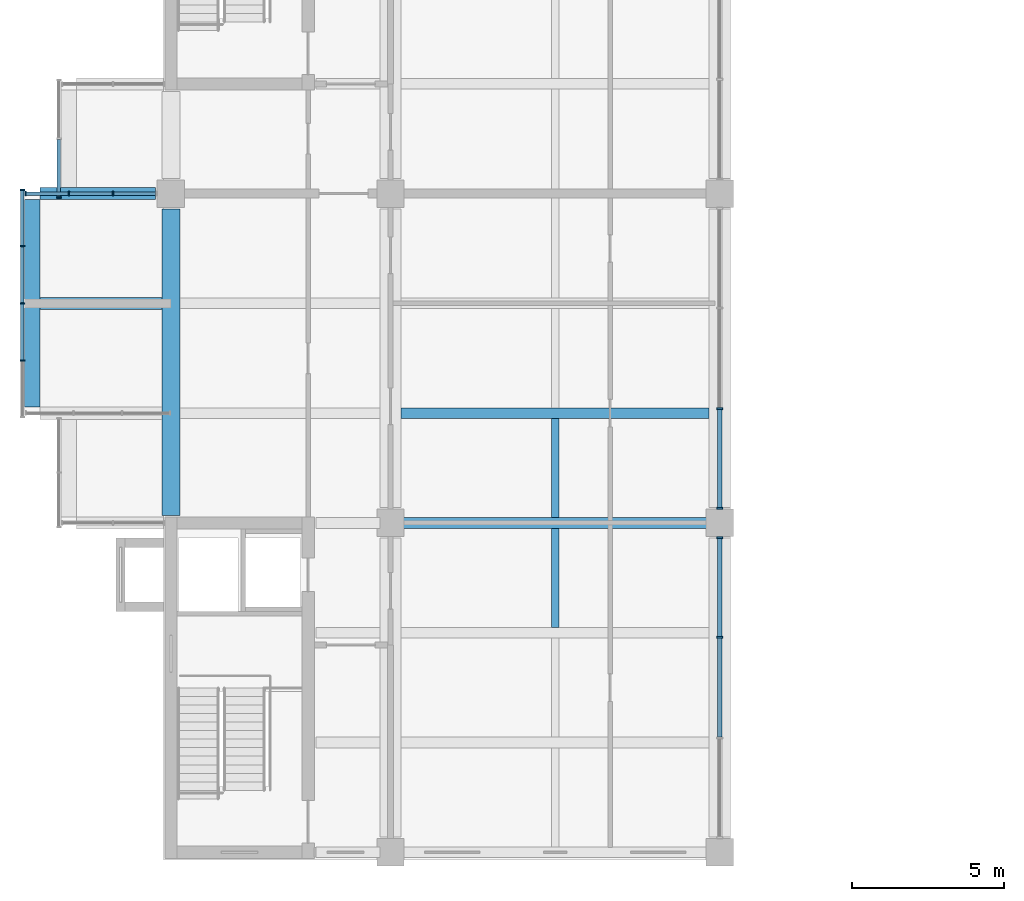
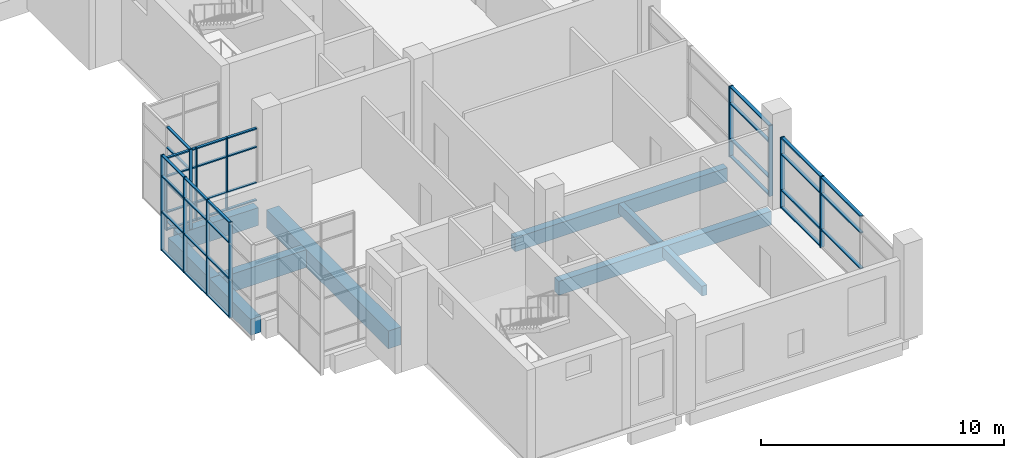
# One storey, part 7 of 32: 51 members, 9 beams, 5 elements without a shape of their own.
"""IFC4 building model written with IfcOpenShell, lengths in metres."""

import ifcopenshell
import ifcopenshell.guid

model = None  # the IFC model being written
_history = None  # IfcOwnerHistory: only IFC2X3 demands one
_inside = {}  # id of a spatial element -> (the spatial element, [elements in it])
_under = {}  # id of a project, library or spatial element -> (it, [spatial elements below it])
_declared = {}  # id of a project -> (the project, [libraries it declares])
_typed = {}  # id of a type object -> (the type object, [elements of that type])
_made_of = {}  # id of a material, layer set ... -> (it, [elements and type objects made of it])


def new_model(schema):
    """Start an empty IFC model of exactly this schema.

    Asked for "IFC4X3", IfcOpenShell would pick the latest addendum, in which some entities
    have other attributes; the version numbers below select the first issue.
    IFC2X3 requires an IfcOwnerHistory on every rooted entity: one is made here for all.
    """
    global model, _history
    if schema == "IFC4X3":
        model = ifcopenshell.file(schema_version=(4, 3, 0, 0))
    else:
        model = ifcopenshell.file(schema=schema)
    _inside.clear()
    _under.clear()
    _declared.clear()
    _typed.clear()
    _made_of.clear()
    _history = None
    if model.schema == "IFC2X3":
        org = make("IfcOrganization", Name="unknown")
        user = make(
            "IfcPersonAndOrganization",
            ThePerson=make("IfcPerson", FamilyName="unknown"),
            TheOrganization=org,
        )
        app = make(
            "IfcApplication",
            ApplicationDeveloper=org,
            Version="unknown",
            ApplicationFullName="unknown",
            ApplicationIdentifier="unknown",
        )
        _history = make(
            "IfcOwnerHistory",
            OwningUser=user,
            OwningApplication=app,
            ChangeAction="ADDED",
            CreationDate=0,
        )
    return model


def make(cls, **values):
    """One entity of the class cls with the attributes given. An attribute that is None is left unset."""
    return model.create_entity(
        cls, **{name: value for name, value in values.items() if value is not None}
    )


def rooted(cls, **values):
    """An entity with a GlobalId (a new one), such as an element, a storey or a relation."""
    return make(cls, GlobalId=ifcopenshell.guid.new(), OwnerHistory=_history, **values)


def si_unit(unit_type, name, prefix=None):
    """IfcSIUnit, for example si_unit("LENGTHUNIT", "METRE", prefix="MILLI")."""
    return make("IfcSIUnit", UnitType=unit_type, Prefix=prefix, Name=name)


def assignment(units):
    """IfcUnitAssignment: the units of a project."""
    return None if units is None else make("IfcUnitAssignment", Units=units)


def point(xyz):
    """IfcCartesianPoint."""
    return None if xyz is None else make("IfcCartesianPoint", Coordinates=xyz)


def direction(xyz):
    """IfcDirection."""
    return None if xyz is None else make("IfcDirection", DirectionRatios=xyz)


def frame(location, z_axis=None, x_axis=None):
    """IfcAxis2Placement3D, a coordinate frame: its origin and axes. An axis left out is left unset."""
    return make(
        "IfcAxis2Placement3D",
        Location=point(location),
        Axis=direction(z_axis),
        RefDirection=direction(x_axis),
    )


def frame_2d(location, x_axis=None):
    """IfcAxis2Placement2D, a coordinate frame in the plane: its origin and x axis."""
    return make(
        "IfcAxis2Placement2D", Location=point(location), RefDirection=direction(x_axis)
    )


def origin():
    """The frame at (0, 0, 0) with its axes left unset."""
    return frame((0.0, 0.0, 0.0))


def origin_2d():
    """The frame at (0, 0) in the plane with its x axis left unset."""
    return frame_2d((0.0, 0.0))


def place(relative_to, where):
    """IfcLocalPlacement: puts the frame where relative to a parent placement (None: the world)."""
    return make(
        "IfcLocalPlacement", PlacementRelTo=relative_to, RelativePlacement=where
    )


def context(
    kind, dimensions, precision=None, world=None, true_north=None, identifier=None
):
    """IfcGeometricRepresentationContext, for example the 3D "Model" context."""
    return make(
        "IfcGeometricRepresentationContext",
        ContextIdentifier=identifier,
        ContextType=kind,
        CoordinateSpaceDimension=dimensions,
        Precision=precision,
        WorldCoordinateSystem=world,
        TrueNorth=true_north,
    )


def subcontext(parent, identifier, kind, view, scale=None):
    """IfcGeometricRepresentationSubContext, for example "Body" below "Model"."""
    return make(
        "IfcGeometricRepresentationSubContext",
        ContextIdentifier=identifier,
        ContextType=kind,
        ParentContext=parent,
        TargetScale=scale,
        TargetView=view,
    )


def project(units=None, contexts=None):
    """IfcProject with its units and contexts."""
    return rooted(
        "IfcProject",
        Name="project",
        RepresentationContexts=contexts,
        UnitsInContext=assignment(units),
    )


def spatial(cls, under=None, at=None, **own):
    """A site, building, storey or space (cls), placed at a placement, below another one or the project."""
    s = rooted(cls, ObjectPlacement=at, **own)
    if under is not None:
        _under.setdefault(under.id(), (under, []))[1].append(s)
    return s


def profile(cls, at=None, kind="AREA", **sizes):
    """A parametric profile (cls). Its sizes go by their IFC names, for example OverallWidth=200.0."""
    return make(cls, ProfileType=kind, Position=at, **sizes)


def rectangle(**sizes):
    """IfcRectangleProfileDef."""
    return profile("IfcRectangleProfileDef", **sizes)


def extrude(swept, where, along, depth):
    """IfcExtrudedAreaSolid: the profile swept, set in the frame where, extruded along a direction by depth."""
    return make(
        "IfcExtrudedAreaSolid",
        SweptArea=swept,
        Position=where,
        ExtrudedDirection=direction(along),
        Depth=depth,
    )


def shape(context_of_items, identifier, shape_type, items):
    """IfcShapeRepresentation: the items that make up one representation, for example the "Body"."""
    return make(
        "IfcShapeRepresentation",
        ContextOfItems=context_of_items,
        RepresentationIdentifier=identifier,
        RepresentationType=shape_type,
        Items=items,
    )


def material(Name=None, Category=None):
    """IfcMaterial."""
    return make("IfcMaterial", Name=Name, Category=Category)


def layer(
    of_material, thickness, ventilated=None, Name=None, Category=None, Priority=None
):
    """IfcMaterialLayer: one layer of a wall or slab, of a material (None: an air gap)."""
    return make(
        "IfcMaterialLayer",
        Material=of_material,
        LayerThickness=thickness,
        IsVentilated=ventilated,
        Name=Name,
        Category=Category,
        Priority=Priority,
    )


def layer_set(layers, Name=None):
    """IfcMaterialLayerSet."""
    return make("IfcMaterialLayerSet", MaterialLayers=layers, LayerSetName=Name)


def material_profile(
    of_material, cross_section, Name=None, Category=None, Priority=None
):
    """IfcMaterialProfile: a cross section and its material."""
    return make(
        "IfcMaterialProfile",
        Name=Name,
        Material=of_material,
        Profile=cross_section,
        Priority=Priority,
        Category=Category,
    )


def profile_set(profiles, Name=None, composite=None):
    """IfcMaterialProfileSet."""
    return make(
        "IfcMaterialProfileSet",
        Name=Name,
        MaterialProfiles=profiles,
        CompositeProfile=composite,
    )


def made_of(thing, what):
    """Note that an element or type object is made of a material, layer set ...; save() writes the relation."""
    if what is not None:
        _made_of.setdefault(what.id(), (what, []))[1].append(thing)
    return thing


def type_object(cls, material=None, **own):
    """A type object (cls), such as IfcWallType, which elements share."""
    return made_of(rooted(cls, **own), material)


def element(
    cls,
    number,
    at=None,
    inside=None,
    cuts=None,
    type_object=None,
    material=None,
    context=None,
    identifier="Body",
    shape_type=None,
    held_by="IfcProductDefinitionShape",
    body=None,
    shapes=None,
    **own,
):
    """One element of the class cls, such as IfcWall. Its Tag is "e" and its number.

    at: its placement. inside: the storey or other place that contains it. cuts: it is an
    opening in that element (IfcRelVoidsElement). A single representation is given by context,
    identifier, shape_type and body (its items); several are given by shapes. held_by: the class
    of the entity that holds the representations. save() writes the other relations.
    """
    e = rooted(cls, Tag="e%d" % number, ObjectPlacement=at, **own)
    if body is not None:
        shapes = [shape(context, identifier, shape_type, body)]
    if shapes is not None:
        e.Representation = make(held_by, Representations=shapes)
    if inside is not None:
        _inside.setdefault(inside.id(), (inside, []))[1].append(e)
    if cuts is not None:
        rooted(
            "IfcRelVoidsElement", RelatingBuildingElement=cuts, RelatedOpeningElement=e
        )
    if type_object is not None:
        _typed.setdefault(type_object.id(), (type_object, []))[1].append(e)
    return made_of(e, material)


def aggregate(whole, parts):
    """IfcRelAggregates: a whole, such as a stair, and the parts it consists of."""
    return rooted("IfcRelAggregates", RelatingObject=whole, RelatedObjects=parts)


def save(model, path):
    """Write the relations noted so far, then the file.

    IfcRelAggregates (storeys below a building ...), IfcRelContainedInSpatialStructure (elements
    in a storey), IfcRelDefinesByType, IfcRelAssociatesMaterial and IfcRelDeclares: one each for
    every whole, place, type object, material and project.
    """
    for whole, parts in _under.values():
        aggregate(whole, parts)
    for where, things in _inside.values():
        rooted(
            "IfcRelContainedInSpatialStructure",
            RelatedElements=things,
            RelatingStructure=where,
        )
    for kind, things in _typed.values():
        rooted("IfcRelDefinesByType", RelatedObjects=things, RelatingType=kind)
    for what, things in _made_of.values():
        rooted("IfcRelAssociatesMaterial", RelatedObjects=things, RelatingMaterial=what)
    for by, libraries in _declared.values():
        rooted("IfcRelDeclares", RelatingContext=by, RelatedDefinitions=libraries)
    model.write(path)


model = new_model("IFC4")

# Units and contexts
model_context = context("Model", 3, precision=1e-05, world=origin(), true_north=direction((0.0, 1.0)))
body_context = subcontext(model_context, "Body", "Model", "MODEL_VIEW")
ifc_project = project(units=[si_unit("LENGTHUNIT", "METRE"), si_unit("AREAUNIT", "SQUARE_METRE"), si_unit("VOLUMEUNIT", "CUBIC_METRE"), si_unit("PLANEANGLEUNIT", "RADIAN"), si_unit("MASSUNIT", "GRAM", prefix="KILO")], contexts=[model_context])

# Site, building, storey
site_placement = place(None, origin())
site = spatial("IfcSite", under=ifc_project, at=site_placement, CompositionType="ELEMENT")
building_placement = place(site_placement, origin())
building = spatial("IfcBuilding", under=site, at=building_placement, Name="Basin Gate Institute", CompositionType="ELEMENT")
storey_placement = place(building_placement, frame((0.0, 0.0, 41.39990234375)))
storey = spatial("IfcBuildingStorey", under=building, at=storey_placement, Name="L08", CompositionType="ELEMENT", Elevation=41.39990234375)

# Beams
ifc_material_1 = material(Name="Concrete 40 MPa", Category="concrete")
ifc_material_profile_1 = material_profile(ifc_material_1, rectangle(XDim=0.35009765625, YDim=0.699951171875, at=origin_2d()), Name="Beam B1 350 x 700")
ifc_profile_set_1 = profile_set([ifc_material_profile_1], Name="Concrete 40 MPa")
beam_type_1 = type_object("IfcBeamType", Name="Beam B1 R120", PredefinedType="BEAM", material=ifc_profile_set_1)
for number, where, z_axis, x_axis, name in (
    (1, (68.75, 45.89990234375, -0.599853515625), (1.0, 0.0, 0.0), (0.0, 1.0, 0.0), "BEAM/L08/W/EW/04"),
    (2, (68.75, 49.5, -0.599853515625), (1.0, 0.0, 0.0), (0.0, 1.0, 0.0), "BEAM/L08/W/EW/05"),
):
    element("IfcBeam", number, at=place(storey_placement, frame(where, z_axis=z_axis, x_axis=x_axis)), inside=storey, type_object=beam_type_1, material=ifc_profile_set_1, Name=name, PredefinedType="BEAM", context=body_context, shape_type="SweptSolid", body=[
        extrude(rectangle(XDim=0.35009765625, YDim=0.699951171875, at=origin_2d()), origin(), (0.0, 0.0, 1.0), 10.10009765625),
    ])
ifc_material_2 = material(Name="Concrete 50 MPa", Category="concrete")
ifc_material_profile_2 = material_profile(ifc_material_2, rectangle(XDim=0.39990234375, YDim=0.89990234375, at=origin_2d()), Name="Cantilever beam B3 400 x 900")
ifc_profile_set_2 = profile_set([ifc_material_profile_2], Name="Concrete 50 MPa")
beam_type_2 = type_object("IfcBeamType", Name="Cantilever beam B3 R120", PredefinedType="BEAM", material=ifc_profile_set_2)
beam_1_placement = place(storey_placement, frame((56.89990234375, 53.10009765625, -0.699951171875), z_axis=(1.0, 0.0, 0.0), x_axis=(0.0, 1.0, 0.0)))
element("IfcBeam", 3, at=beam_1_placement, inside=storey, type_object=beam_type_2, material=ifc_profile_set_2, Name="BEAM/L08/W/CANT/06", PredefinedType="BEAM", context=body_context, shape_type="SweptSolid", body=[
    extrude(rectangle(XDim=0.39990234375, YDim=0.89990234375, at=origin_2d()), origin(), (0.0, 0.0, 1.0), 4.0),
])
beam_2_placement = place(storey_placement, frame((56.89990234375, 56.699951171875, -0.699951171875), z_axis=(1.0, 0.0, 0.0), x_axis=(0.0, 1.0, 0.0)))
element("IfcBeam", 4, at=beam_2_placement, inside=storey, type_object=beam_type_2, material=ifc_profile_set_2, Name="BEAM/L08/W/CANT/07", PredefinedType="BEAM", context=body_context, shape_type="SweptSolid", body=[
    extrude(rectangle(XDim=0.39990234375, YDim=0.89990234375, at=origin_2d()), origin(), (0.0, 0.0, 1.0), 3.800048828125),
])
ifc_material_3 = material(Name="Concrete 50 MPa", Category="concrete")
ifc_material_profile_3 = material_profile(ifc_material_3, rectangle(XDim=0.60009765625, YDim=0.89990234375, at=origin_2d()), Name="Edge beam EB1 600 x 900")
ifc_profile_set_3 = profile_set([ifc_material_profile_3], Name="Concrete 50 MPa")
beam_type_3 = type_object("IfcBeamType", Name="Edge beam EB1 R120", PredefinedType="SPANDREL", material=ifc_profile_set_3)
beam_3_placement = place(storey_placement, frame((61.199951171875, 46.14990234375, -0.699951171875), z_axis=(0.0, 1.0, 0.0), x_axis=(-1.0, 0.0, 0.0)))
element("IfcBeam", 5, at=beam_3_placement, inside=storey, type_object=beam_type_3, material=ifc_profile_set_3, Name="BEAM/L08/W/EDGE/1", PredefinedType="SPANDREL", context=body_context, shape_type="SweptSolid", body=[
    extrude(rectangle(XDim=0.60009765625, YDim=0.89990234375, at=origin_2d()), origin(), (0.0, 0.0, 1.0), 10.050048828125),
])

# Curtain wall, members
ifc_material_4 = material(Name="Aluminium-framed glazing", Category="aluminium")
ifc_layer_1 = layer(ifc_material_4, 0.14990234375)
ifc_layer_set_1 = layer_set([ifc_layer_1], Name="Capsule front curtain wall CW1")
curtain_wall_type_1 = type_object("IfcCurtainWallType", Name="Capsule front curtain wall CW1", PredefinedType="NOTDEFINED", material=ifc_layer_set_1)
curtain_wall_1_placement = place(storey_placement, origin())
curtain_wall_1 = element("IfcCurtainWall", 6, at=curtain_wall_1_placement, inside=storey, type_object=curtain_wall_type_1, material=ifc_layer_set_1, Name="Capsule front curtain wall W wing capsule end L08 line 7", PredefinedType="NOTDEFINED")
ifc_material_5 = material(Name="Aluminium", Category="aluminium")
ifc_material_profile_4 = material_profile(ifc_material_5, rectangle(XDim=0.14990234375, YDim=0.050048828125, at=origin_2d()), Name="Mullion MU1 150 x 50")
ifc_profile_set_4 = profile_set([ifc_material_profile_4], Name="Aluminium")
member_type_1 = type_object("IfcMemberType", Name="Mullion MU1", PredefinedType="MULLION", material=ifc_profile_set_4)
member_1_placement = place(storey_placement, frame((56.425048828125, 56.699951171875, 0.0), z_axis=(0.0, 0.0, 1.0), x_axis=(0.0, 1.0, 0.0)))
member_1 = element("IfcMember", 7, at=member_1_placement, type_object=member_type_1, material=ifc_profile_set_4, Name="CW1 mullion 1", PredefinedType="MULLION", context=body_context, shape_type="SweptSolid", body=[
    extrude(rectangle(XDim=0.14990234375, YDim=0.050048828125, at=origin_2d()), origin(), (0.0, 0.0, 1.0), 3.650146484375),
])
member_2_placement = place(storey_placement, frame((57.85009765625, 56.699951171875, 0.0), z_axis=(0.0, 0.0, 1.0), x_axis=(0.0, 1.0, 0.0)))
member_2 = element("IfcMember", 8, at=member_2_placement, type_object=member_type_1, material=ifc_profile_set_4, Name="CW1 mullion 2", PredefinedType="MULLION", context=body_context, shape_type="SweptSolid", body=[
    extrude(rectangle(XDim=0.14990234375, YDim=0.050048828125, at=origin_2d()), origin(), (0.0, 0.0, 1.0), 3.650146484375),
])
member_3_placement = place(storey_placement, frame((59.300048828125, 56.699951171875, 0.0), z_axis=(0.0, 0.0, 1.0), x_axis=(0.0, 1.0, 0.0)))
member_3 = element("IfcMember", 9, at=member_3_placement, type_object=member_type_1, material=ifc_profile_set_4, Name="CW1 mullion 3", PredefinedType="MULLION", context=body_context, shape_type="SweptSolid", body=[
    extrude(rectangle(XDim=0.14990234375, YDim=0.050048828125, at=origin_2d()), origin(), (0.0, 0.0, 1.0), 3.650146484375),
])

curtain_wall_2_placement = place(storey_placement, origin())
curtain_wall_2 = element("IfcCurtainWall", 10, at=curtain_wall_2_placement, inside=storey, type_object=curtain_wall_type_1, material=ifc_layer_set_1, Name="Capsule front curtain wall W wing capsule 1 L08 front 2", PredefinedType="NOTDEFINED")
member_4_placement = place(storey_placement, frame((56.324951171875, 51.22509765625, -1.0498046875), z_axis=(0.0, 0.0, 1.0), x_axis=(-1.0, 0.0, 0.0)))
member_4 = element("IfcMember", 11, at=member_4_placement, type_object=member_type_1, material=ifc_profile_set_4, Name="CW1 mullion 2", PredefinedType="MULLION", context=body_context, shape_type="SweptSolid", body=[
    extrude(rectangle(XDim=0.14990234375, YDim=0.050048828125, at=origin_2d()), origin(), (0.0, 0.0, 1.0), 4.7998046875),
])
member_5_placement = place(storey_placement, frame((56.324951171875, 53.10009765625, -1.0498046875), z_axis=(0.0, 0.0, 1.0), x_axis=(-1.0, 0.0, 0.0)))
member_5 = element("IfcMember", 12, at=member_5_placement, type_object=member_type_1, material=ifc_profile_set_4, Name="CW1 mullion 3", PredefinedType="MULLION", context=body_context, shape_type="SweptSolid", body=[
    extrude(rectangle(XDim=0.14990234375, YDim=0.050048828125, at=origin_2d()), origin(), (0.0, 0.0, 1.0), 4.7998046875),
])
member_6_placement = place(storey_placement, frame((56.324951171875, 54.97509765625, -1.0498046875), z_axis=(0.0, 0.0, 1.0), x_axis=(-1.0, 0.0, 0.0)))
member_6 = element("IfcMember", 13, at=member_6_placement, type_object=member_type_1, material=ifc_profile_set_4, Name="CW1 mullion 4", PredefinedType="MULLION", context=body_context, shape_type="SweptSolid", body=[
    extrude(rectangle(XDim=0.14990234375, YDim=0.050048828125, at=origin_2d()), origin(), (0.0, 0.0, 1.0), 4.7998046875),
])
member_7_placement = place(storey_placement, frame((56.324951171875, 56.824951171875, -1.0498046875), z_axis=(0.0, 0.0, 1.0), x_axis=(-1.0, 0.0, 0.0)))
member_7 = element("IfcMember", 14, at=member_7_placement, type_object=member_type_1, material=ifc_profile_set_4, Name="CW1 mullion 5", PredefinedType="MULLION", context=body_context, shape_type="SweptSolid", body=[
    extrude(rectangle(XDim=0.14990234375, YDim=0.050048828125, at=origin_2d()), origin(), (0.0, 0.0, 1.0), 4.7998046875),
])

# Curtain wall, member
curtain_wall_3_placement = place(storey_placement, origin())
curtain_wall_3 = element("IfcCurtainWall", 15, at=curtain_wall_3_placement, inside=storey, type_object=curtain_wall_type_1, material=ifc_layer_set_1, Name="Capsule front curtain wall W wing capsule 1 L08 front 4", PredefinedType="NOTDEFINED")
member_8_placement = place(storey_placement, frame((57.52490234375, 56.574951171875, -1.0498046875), z_axis=(0.0, 0.0, 1.0), x_axis=(-1.0, 0.0, 0.0)))
member_8 = element("IfcMember", 16, at=member_8_placement, type_object=member_type_1, material=ifc_profile_set_4, Name="CW1 mullion 1", PredefinedType="MULLION", context=body_context, shape_type="SweptSolid", body=[
    extrude(rectangle(XDim=0.14990234375, YDim=0.050048828125, at=origin_2d()), origin(), (0.0, 0.0, 1.0), 4.7998046875),
])

# Curtain wall, members
ifc_material_6 = material(Name="Aluminium-framed glazing", Category="aluminium")
ifc_layer_2 = layer(ifc_material_6, 0.199951171875)
ifc_layer_set_2 = layer_set([ifc_layer_2], Name="Atrium curtain wall CW2")
curtain_wall_type_2 = type_object("IfcCurtainWallType", Name="Atrium curtain wall CW2", PredefinedType="NOTDEFINED", material=ifc_layer_set_2)
curtain_wall_4_placement = place(storey_placement, origin())
curtain_wall_4 = element("IfcCurtainWall", 17, at=curtain_wall_4_placement, inside=storey, type_object=curtain_wall_type_2, material=ifc_layer_set_2, Name="Atrium curtain wall W wing atrium bay 1 L08", PredefinedType="NOTDEFINED")
ifc_material_7 = material(Name="Aluminium", Category="aluminium")
ifc_material_profile_5 = material_profile(ifc_material_7, rectangle(XDim=0.199951171875, YDim=0.06005859375, at=origin_2d()), Name="Mullion MU2 200 x 60")
ifc_profile_set_5 = profile_set([ifc_material_profile_5], Name="Aluminium")
member_type_2 = type_object("IfcMemberType", Name="Mullion MU2", PredefinedType="MULLION", material=ifc_profile_set_5)
member_9_placement = place(storey_placement, frame((79.199951171875, 42.14990234375, 0.0), z_axis=(0.0, 0.0, 1.0), x_axis=(-1.0, 0.0, 0.0)))
member_9 = element("IfcMember", 18, at=member_9_placement, type_object=member_type_2, material=ifc_profile_set_5, Name="CW2 mullion 3", PredefinedType="MULLION", context=body_context, shape_type="SweptSolid", body=[
    extrude(rectangle(XDim=0.199951171875, YDim=0.06005859375, at=origin_2d()), origin(), (0.0, 0.0, 1.0), 3.550048828125),
])
member_10_placement = place(storey_placement, frame((79.199951171875, 45.419921875, 0.0), z_axis=(0.0, 0.0, 1.0), x_axis=(-1.0, 0.0, 0.0)))
member_10 = element("IfcMember", 19, at=member_10_placement, type_object=member_type_2, material=ifc_profile_set_5, Name="CW2 mullion 4", PredefinedType="MULLION", context=body_context, shape_type="SweptSolid", body=[
    extrude(rectangle(XDim=0.199951171875, YDim=0.06005859375, at=origin_2d()), origin(), (0.0, 0.0, 1.0), 3.550048828125),
])

curtain_wall_5_placement = place(storey_placement, origin())
curtain_wall_5 = element("IfcCurtainWall", 20, at=curtain_wall_5_placement, inside=storey, type_object=curtain_wall_type_2, material=ifc_layer_set_2, Name="Atrium curtain wall W wing atrium bay 2 L08", PredefinedType="NOTDEFINED")
member_11_placement = place(storey_placement, frame((79.199951171875, 46.3798828125, 0.0), z_axis=(0.0, 0.0, 1.0), x_axis=(-1.0, 0.0, 0.0)))
member_11 = element("IfcMember", 21, at=member_11_placement, type_object=member_type_2, material=ifc_profile_set_5, Name="CW2 mullion 1", PredefinedType="MULLION", context=body_context, shape_type="SweptSolid", body=[
    extrude(rectangle(XDim=0.199951171875, YDim=0.06005859375, at=origin_2d()), origin(), (0.0, 0.0, 1.0), 3.550048828125),
])
member_12_placement = place(storey_placement, frame((79.199951171875, 49.64990234375, 0.0), z_axis=(0.0, 0.0, 1.0), x_axis=(-1.0, 0.0, 0.0)))
member_12 = element("IfcMember", 22, at=member_12_placement, type_object=member_type_2, material=ifc_profile_set_5, Name="CW2 mullion 2", PredefinedType="MULLION", context=body_context, shape_type="SweptSolid", body=[
    extrude(rectangle(XDim=0.199951171875, YDim=0.06005859375, at=origin_2d()), origin(), (0.0, 0.0, 1.0), 3.550048828125),
])

# Beams
ifc_material_8 = material(Name="Concrete 40 MPa", Category="concrete")
ifc_material_profile_6 = material_profile(ifc_material_8, rectangle(XDim=0.25, YDim=0.5, at=origin_2d()), Name="Rib R1 250 x 500")
ifc_profile_set_6 = profile_set([ifc_material_profile_6], Name="Concrete 40 MPa")
beam_type_4 = type_object("IfcBeamType", Name="Rib R1 R120", PredefinedType="JOIST", material=ifc_profile_set_6)
for number, where, z_axis, x_axis, name in (
    (23, (73.800048828125, 42.47509765625, -0.5), (0.0, 1.0, 0.0), (-1.0, 0.0, 0.0), "BEAM/L08/W/RIB/03"),
    (24, (73.800048828125, 46.074951171875, -0.5), (0.0, 1.0, 0.0), (-1.0, 0.0, 0.0), "BEAM/L08/W/RIB/04"),
):
    element("IfcBeam", number, at=place(storey_placement, frame(where, z_axis=z_axis, x_axis=x_axis)), inside=storey, type_object=beam_type_4, material=ifc_profile_set_6, Name=name, PredefinedType="JOIST", context=body_context, shape_type="SweptSolid", body=[
        extrude(rectangle(XDim=0.25, YDim=0.5, at=origin_2d()), origin(), (0.0, 0.0, 1.0), 3.25),
    ])
ifc_material_9 = material(Name="Concrete 50 MPa", Category="concrete")
ifc_material_profile_7 = material_profile(ifc_material_9, rectangle(XDim=0.5, YDim=0.800048828125, at=origin_2d()), Name="Tip beam TB1 500 x 800")
ifc_profile_set_7 = profile_set([ifc_material_profile_7], Name="Concrete 50 MPa")
beam_type_5 = type_object("IfcBeamType", Name="Tip beam TB1 R120", PredefinedType="SPANDREL", material=ifc_profile_set_7)
beam_4_placement = place(storey_placement, frame((56.64990234375, 49.699951171875, -0.64990234375), z_axis=(0.0, 1.0, 0.0), x_axis=(-1.0, 0.0, 0.0)))
element("IfcBeam", 25, at=beam_4_placement, inside=storey, type_object=beam_type_5, material=ifc_profile_set_7, Name="BEAM/L08/W/TIP/2", PredefinedType="SPANDREL", context=body_context, shape_type="SweptSolid", body=[
    extrude(rectangle(XDim=0.5, YDim=0.800048828125, at=origin_2d()), origin(), (0.0, 0.0, 1.0), 3.400146484375),
])
beam_5_placement = place(storey_placement, frame((56.64990234375, 53.10009765625, -0.64990234375), z_axis=(0.0, 1.0, 0.0), x_axis=(-1.0, 0.0, 0.0)))
element("IfcBeam", 26, at=beam_5_placement, inside=storey, type_object=beam_type_5, material=ifc_profile_set_7, Name="BEAM/L08/W/TIP/3", PredefinedType="SPANDREL", context=body_context, shape_type="SweptSolid", body=[
    extrude(rectangle(XDim=0.5, YDim=0.800048828125, at=origin_2d()), origin(), (0.0, 0.0, 1.0), 3.39990234375),
])

# Member
ifc_material_10 = material(Name="Aluminium", Category="aluminium")
ifc_material_profile_8 = material_profile(ifc_material_10, rectangle(XDim=0.1201171875, YDim=0.06005859375, at=origin_2d()), Name="Transom TR1 120 x 60")
ifc_profile_set_8 = profile_set([ifc_material_profile_8], Name="Aluminium")
member_type_3 = type_object("IfcMemberType", Name="Transom TR1", PredefinedType="USERDEFINED", material=ifc_profile_set_8)
member_13_placement = place(storey_placement, frame((56.449951171875, 56.699951171875, 0.030029296875), z_axis=(1.0, 0.0, 0.0), x_axis=(0.0, 1.0, 0.0)))
member_13 = element("IfcMember", 27, at=member_13_placement, type_object=member_type_3, material=ifc_profile_set_8, Name="CW1 transom 1.1", ObjectType="TRANSOM", PredefinedType="USERDEFINED", context=body_context, shape_type="SweptSolid", body=[
    extrude(rectangle(XDim=0.1201171875, YDim=0.06005859375, at=origin_2d()), origin(), (0.0, 0.0, 1.0), 1.375),
])

member_14_placement = place(storey_placement, frame((56.449951171875, 56.699951171875, 0.900146484375), z_axis=(1.0, 0.0, 0.0), x_axis=(0.0, 1.0, 0.0)))
member_14 = element("IfcMember", 28, at=member_14_placement, type_object=member_type_3, material=ifc_profile_set_8, Name="CW1 transom 1.2", ObjectType="TRANSOM", PredefinedType="USERDEFINED", context=body_context, shape_type="SweptSolid", body=[
    extrude(rectangle(XDim=0.1201171875, YDim=0.06005859375, at=origin_2d()), origin(), (0.0, 0.0, 1.0), 1.375),
])

member_15_placement = place(storey_placement, frame((56.449951171875, 56.699951171875, 2.7001953125), z_axis=(1.0, 0.0, 0.0), x_axis=(0.0, 1.0, 0.0)))
member_15 = element("IfcMember", 29, at=member_15_placement, type_object=member_type_3, material=ifc_profile_set_8, Name="CW1 transom 1.3", ObjectType="TRANSOM", PredefinedType="USERDEFINED", context=body_context, shape_type="SweptSolid", body=[
    extrude(rectangle(XDim=0.1201171875, YDim=0.06005859375, at=origin_2d()), origin(), (0.0, 0.0, 1.0), 1.375),
])

member_16_placement = place(storey_placement, frame((56.449951171875, 56.699951171875, 3.6201171875), z_axis=(1.0, 0.0, 0.0), x_axis=(0.0, 1.0, 0.0)))
member_16 = element("IfcMember", 30, at=member_16_placement, type_object=member_type_3, material=ifc_profile_set_8, Name="CW1 transom 1.4", ObjectType="TRANSOM", PredefinedType="USERDEFINED", context=body_context, shape_type="SweptSolid", body=[
    extrude(rectangle(XDim=0.1201171875, YDim=0.06005859375, at=origin_2d()), origin(), (0.0, 0.0, 1.0), 1.375),
])

member_17_placement = place(storey_placement, frame((57.875, 56.699951171875, 0.030029296875), z_axis=(1.0, 0.0, 0.0), x_axis=(0.0, 1.0, 0.0)))
member_17 = element("IfcMember", 31, at=member_17_placement, type_object=member_type_3, material=ifc_profile_set_8, Name="CW1 transom 2.1", ObjectType="TRANSOM", PredefinedType="USERDEFINED", context=body_context, shape_type="SweptSolid", body=[
    extrude(rectangle(XDim=0.1201171875, YDim=0.06005859375, at=origin_2d()), origin(), (0.0, 0.0, 1.0), 1.39990234375),
])

member_18_placement = place(storey_placement, frame((57.875, 56.699951171875, 0.900146484375), z_axis=(1.0, 0.0, 0.0), x_axis=(0.0, 1.0, 0.0)))
member_18 = element("IfcMember", 32, at=member_18_placement, type_object=member_type_3, material=ifc_profile_set_8, Name="CW1 transom 2.2", ObjectType="TRANSOM", PredefinedType="USERDEFINED", context=body_context, shape_type="SweptSolid", body=[
    extrude(rectangle(XDim=0.1201171875, YDim=0.06005859375, at=origin_2d()), origin(), (0.0, 0.0, 1.0), 1.39990234375),
])

member_19_placement = place(storey_placement, frame((57.875, 56.699951171875, 2.7001953125), z_axis=(1.0, 0.0, 0.0), x_axis=(0.0, 1.0, 0.0)))
member_19 = element("IfcMember", 33, at=member_19_placement, type_object=member_type_3, material=ifc_profile_set_8, Name="CW1 transom 2.3", ObjectType="TRANSOM", PredefinedType="USERDEFINED", context=body_context, shape_type="SweptSolid", body=[
    extrude(rectangle(XDim=0.1201171875, YDim=0.06005859375, at=origin_2d()), origin(), (0.0, 0.0, 1.0), 1.39990234375),
])

member_20_placement = place(storey_placement, frame((57.875, 56.699951171875, 3.6201171875), z_axis=(1.0, 0.0, 0.0), x_axis=(0.0, 1.0, 0.0)))
member_20 = element("IfcMember", 34, at=member_20_placement, type_object=member_type_3, material=ifc_profile_set_8, Name="CW1 transom 2.4", ObjectType="TRANSOM", PredefinedType="USERDEFINED", context=body_context, shape_type="SweptSolid", body=[
    extrude(rectangle(XDim=0.1201171875, YDim=0.06005859375, at=origin_2d()), origin(), (0.0, 0.0, 1.0), 1.39990234375),
])

member_21_placement = place(storey_placement, frame((59.324951171875, 56.699951171875, 0.030029296875), z_axis=(1.0, 0.0, 0.0), x_axis=(0.0, 1.0, 0.0)))
member_21 = element("IfcMember", 35, at=member_21_placement, type_object=member_type_3, material=ifc_profile_set_8, Name="CW1 transom 3.1", ObjectType="TRANSOM", PredefinedType="USERDEFINED", context=body_context, shape_type="SweptSolid", body=[
    extrude(rectangle(XDim=0.1201171875, YDim=0.06005859375, at=origin_2d()), origin(), (0.0, 0.0, 1.0), 1.375),
])

member_22_placement = place(storey_placement, frame((59.324951171875, 56.699951171875, 0.900146484375), z_axis=(1.0, 0.0, 0.0), x_axis=(0.0, 1.0, 0.0)))
member_22 = element("IfcMember", 36, at=member_22_placement, type_object=member_type_3, material=ifc_profile_set_8, Name="CW1 transom 3.2", ObjectType="TRANSOM", PredefinedType="USERDEFINED", context=body_context, shape_type="SweptSolid", body=[
    extrude(rectangle(XDim=0.1201171875, YDim=0.06005859375, at=origin_2d()), origin(), (0.0, 0.0, 1.0), 1.375),
])

member_23_placement = place(storey_placement, frame((59.324951171875, 56.699951171875, 2.7001953125), z_axis=(1.0, 0.0, 0.0), x_axis=(0.0, 1.0, 0.0)))
member_23 = element("IfcMember", 37, at=member_23_placement, type_object=member_type_3, material=ifc_profile_set_8, Name="CW1 transom 3.3", ObjectType="TRANSOM", PredefinedType="USERDEFINED", context=body_context, shape_type="SweptSolid", body=[
    extrude(rectangle(XDim=0.1201171875, YDim=0.06005859375, at=origin_2d()), origin(), (0.0, 0.0, 1.0), 1.375),
])

member_24_placement = place(storey_placement, frame((59.324951171875, 56.699951171875, 3.6201171875), z_axis=(1.0, 0.0, 0.0), x_axis=(0.0, 1.0, 0.0)))
member_24 = element("IfcMember", 38, at=member_24_placement, type_object=member_type_3, material=ifc_profile_set_8, Name="CW1 transom 3.4", ObjectType="TRANSOM", PredefinedType="USERDEFINED", context=body_context, shape_type="SweptSolid", body=[
    extrude(rectangle(XDim=0.1201171875, YDim=0.06005859375, at=origin_2d()), origin(), (0.0, 0.0, 1.0), 1.375),
])

aggregate(curtain_wall_1, [member_1, member_2, member_3, member_13, member_14, member_15, member_16, member_17, member_18, member_19, member_20, member_21, member_22, member_23, member_24])

member_25_placement = place(storey_placement, frame((56.324951171875, 51.25, -1.02001953125), z_axis=(0.0, 1.0, 0.0), x_axis=(-1.0, 0.0, 0.0)))
member_25 = element("IfcMember", 39, at=member_25_placement, type_object=member_type_3, material=ifc_profile_set_8, Name="CW1 transom 2.1", ObjectType="TRANSOM", PredefinedType="USERDEFINED", context=body_context, shape_type="SweptSolid", body=[
    extrude(rectangle(XDim=0.1201171875, YDim=0.06005859375, at=origin_2d()), origin(), (0.0, 0.0, 1.0), 1.824951171875),
])

member_26_placement = place(storey_placement, frame((56.324951171875, 51.25, 0.900146484375), z_axis=(0.0, 1.0, 0.0), x_axis=(-1.0, 0.0, 0.0)))
member_26 = element("IfcMember", 40, at=member_26_placement, type_object=member_type_3, material=ifc_profile_set_8, Name="CW1 transom 2.2", ObjectType="TRANSOM", PredefinedType="USERDEFINED", context=body_context, shape_type="SweptSolid", body=[
    extrude(rectangle(XDim=0.1201171875, YDim=0.06005859375, at=origin_2d()), origin(), (0.0, 0.0, 1.0), 1.824951171875),
])

member_27_placement = place(storey_placement, frame((56.324951171875, 51.25, 2.7001953125), z_axis=(0.0, 1.0, 0.0), x_axis=(-1.0, 0.0, 0.0)))
member_27 = element("IfcMember", 41, at=member_27_placement, type_object=member_type_3, material=ifc_profile_set_8, Name="CW1 transom 2.3", ObjectType="TRANSOM", PredefinedType="USERDEFINED", context=body_context, shape_type="SweptSolid", body=[
    extrude(rectangle(XDim=0.1201171875, YDim=0.06005859375, at=origin_2d()), origin(), (0.0, 0.0, 1.0), 1.824951171875),
])

member_28_placement = place(storey_placement, frame((56.324951171875, 51.25, 3.72021484375), z_axis=(0.0, 1.0, 0.0), x_axis=(-1.0, 0.0, 0.0)))
member_28 = element("IfcMember", 42, at=member_28_placement, type_object=member_type_3, material=ifc_profile_set_8, Name="CW1 transom 2.4", ObjectType="TRANSOM", PredefinedType="USERDEFINED", context=body_context, shape_type="SweptSolid", body=[
    extrude(rectangle(XDim=0.1201171875, YDim=0.06005859375, at=origin_2d()), origin(), (0.0, 0.0, 1.0), 1.824951171875),
])

member_29_placement = place(storey_placement, frame((56.324951171875, 53.125, -1.02001953125), z_axis=(0.0, 1.0, 0.0), x_axis=(-1.0, 0.0, 0.0)))
member_29 = element("IfcMember", 43, at=member_29_placement, type_object=member_type_3, material=ifc_profile_set_8, Name="CW1 transom 3.1", ObjectType="TRANSOM", PredefinedType="USERDEFINED", context=body_context, shape_type="SweptSolid", body=[
    extrude(rectangle(XDim=0.1201171875, YDim=0.06005859375, at=origin_2d()), origin(), (0.0, 0.0, 1.0), 1.824951171875),
])

member_30_placement = place(storey_placement, frame((56.324951171875, 53.125, 0.900146484375), z_axis=(0.0, 1.0, 0.0), x_axis=(-1.0, 0.0, 0.0)))
member_30 = element("IfcMember", 44, at=member_30_placement, type_object=member_type_3, material=ifc_profile_set_8, Name="CW1 transom 3.2", ObjectType="TRANSOM", PredefinedType="USERDEFINED", context=body_context, shape_type="SweptSolid", body=[
    extrude(rectangle(XDim=0.1201171875, YDim=0.06005859375, at=origin_2d()), origin(), (0.0, 0.0, 1.0), 1.824951171875),
])

member_31_placement = place(storey_placement, frame((56.324951171875, 53.125, 2.7001953125), z_axis=(0.0, 1.0, 0.0), x_axis=(-1.0, 0.0, 0.0)))
member_31 = element("IfcMember", 45, at=member_31_placement, type_object=member_type_3, material=ifc_profile_set_8, Name="CW1 transom 3.3", ObjectType="TRANSOM", PredefinedType="USERDEFINED", context=body_context, shape_type="SweptSolid", body=[
    extrude(rectangle(XDim=0.1201171875, YDim=0.06005859375, at=origin_2d()), origin(), (0.0, 0.0, 1.0), 1.824951171875),
])

member_32_placement = place(storey_placement, frame((56.324951171875, 53.125, 3.72021484375), z_axis=(0.0, 1.0, 0.0), x_axis=(-1.0, 0.0, 0.0)))
member_32 = element("IfcMember", 46, at=member_32_placement, type_object=member_type_3, material=ifc_profile_set_8, Name="CW1 transom 3.4", ObjectType="TRANSOM", PredefinedType="USERDEFINED", context=body_context, shape_type="SweptSolid", body=[
    extrude(rectangle(XDim=0.1201171875, YDim=0.06005859375, at=origin_2d()), origin(), (0.0, 0.0, 1.0), 1.824951171875),
])

member_33_placement = place(storey_placement, frame((56.324951171875, 55.0, -1.02001953125), z_axis=(0.0, 1.0, 0.0), x_axis=(-1.0, 0.0, 0.0)))
member_33 = element("IfcMember", 47, at=member_33_placement, type_object=member_type_3, material=ifc_profile_set_8, Name="CW1 transom 4.1", ObjectType="TRANSOM", PredefinedType="USERDEFINED", context=body_context, shape_type="SweptSolid", body=[
    extrude(rectangle(XDim=0.1201171875, YDim=0.06005859375, at=origin_2d()), origin(), (0.0, 0.0, 1.0), 1.800048828125),
])

member_34_placement = place(storey_placement, frame((56.324951171875, 55.0, 0.900146484375), z_axis=(0.0, 1.0, 0.0), x_axis=(-1.0, 0.0, 0.0)))
member_34 = element("IfcMember", 48, at=member_34_placement, type_object=member_type_3, material=ifc_profile_set_8, Name="CW1 transom 4.2", ObjectType="TRANSOM", PredefinedType="USERDEFINED", context=body_context, shape_type="SweptSolid", body=[
    extrude(rectangle(XDim=0.1201171875, YDim=0.06005859375, at=origin_2d()), origin(), (0.0, 0.0, 1.0), 1.800048828125),
])

member_35_placement = place(storey_placement, frame((56.324951171875, 55.0, 2.7001953125), z_axis=(0.0, 1.0, 0.0), x_axis=(-1.0, 0.0, 0.0)))
member_35 = element("IfcMember", 49, at=member_35_placement, type_object=member_type_3, material=ifc_profile_set_8, Name="CW1 transom 4.3", ObjectType="TRANSOM", PredefinedType="USERDEFINED", context=body_context, shape_type="SweptSolid", body=[
    extrude(rectangle(XDim=0.1201171875, YDim=0.06005859375, at=origin_2d()), origin(), (0.0, 0.0, 1.0), 1.800048828125),
])

member_36_placement = place(storey_placement, frame((56.324951171875, 55.0, 3.72021484375), z_axis=(0.0, 1.0, 0.0), x_axis=(-1.0, 0.0, 0.0)))
member_36 = element("IfcMember", 50, at=member_36_placement, type_object=member_type_3, material=ifc_profile_set_8, Name="CW1 transom 4.4", ObjectType="TRANSOM", PredefinedType="USERDEFINED", context=body_context, shape_type="SweptSolid", body=[
    extrude(rectangle(XDim=0.1201171875, YDim=0.06005859375, at=origin_2d()), origin(), (0.0, 0.0, 1.0), 1.800048828125),
])

aggregate(curtain_wall_2, [member_4, member_5, member_6, member_7, member_25, member_26, member_27, member_28, member_29, member_30, member_31, member_32, member_33, member_34, member_35, member_36])

member_37_placement = place(storey_placement, frame((57.52490234375, 56.60009765625, -1.02001953125), z_axis=(0.0, 1.0, 0.0), x_axis=(-1.0, 0.0, 0.0)))
member_37 = element("IfcMember", 51, at=member_37_placement, type_object=member_type_3, material=ifc_profile_set_8, Name="CW1 transom 1.1", ObjectType="TRANSOM", PredefinedType="USERDEFINED", context=body_context, shape_type="SweptSolid", body=[
    extrude(rectangle(XDim=0.1201171875, YDim=0.06005859375, at=origin_2d()), origin(), (0.0, 0.0, 1.0), 1.875),
])

member_38_placement = place(storey_placement, frame((57.52490234375, 56.60009765625, 0.900146484375), z_axis=(0.0, 1.0, 0.0), x_axis=(-1.0, 0.0, 0.0)))
member_38 = element("IfcMember", 52, at=member_38_placement, type_object=member_type_3, material=ifc_profile_set_8, Name="CW1 transom 1.2", ObjectType="TRANSOM", PredefinedType="USERDEFINED", context=body_context, shape_type="SweptSolid", body=[
    extrude(rectangle(XDim=0.1201171875, YDim=0.06005859375, at=origin_2d()), origin(), (0.0, 0.0, 1.0), 1.875),
])

member_39_placement = place(storey_placement, frame((57.52490234375, 56.60009765625, 2.7001953125), z_axis=(0.0, 1.0, 0.0), x_axis=(-1.0, 0.0, 0.0)))
member_39 = element("IfcMember", 53, at=member_39_placement, type_object=member_type_3, material=ifc_profile_set_8, Name="CW1 transom 1.3", ObjectType="TRANSOM", PredefinedType="USERDEFINED", context=body_context, shape_type="SweptSolid", body=[
    extrude(rectangle(XDim=0.1201171875, YDim=0.06005859375, at=origin_2d()), origin(), (0.0, 0.0, 1.0), 1.875),
])

member_40_placement = place(storey_placement, frame((57.52490234375, 56.60009765625, 3.72021484375), z_axis=(0.0, 1.0, 0.0), x_axis=(-1.0, 0.0, 0.0)))
member_40 = element("IfcMember", 54, at=member_40_placement, type_object=member_type_3, material=ifc_profile_set_8, Name="CW1 transom 1.4", ObjectType="TRANSOM", PredefinedType="USERDEFINED", context=body_context, shape_type="SweptSolid", body=[
    extrude(rectangle(XDim=0.1201171875, YDim=0.06005859375, at=origin_2d()), origin(), (0.0, 0.0, 1.0), 1.875),
])

aggregate(curtain_wall_3, [member_8, member_37, member_38, member_39, member_40])

ifc_material_11 = material(Name="Aluminium", Category="aluminium")
ifc_material_profile_9 = material_profile(ifc_material_11, rectangle(XDim=0.14990234375, YDim=0.06005859375, at=origin_2d()), Name="Transom TR2 150 x 60")
ifc_profile_set_9 = profile_set([ifc_material_profile_9], Name="Aluminium")
member_type_4 = type_object("IfcMemberType", Name="Transom TR2", PredefinedType="USERDEFINED", material=ifc_profile_set_9)
member_41_placement = place(storey_placement, frame((79.199951171875, 38.8798828125, 0.900146484375), z_axis=(0.0, 1.0, 0.0), x_axis=(-1.0, 0.0, 0.0)))
member_41 = element("IfcMember", 55, at=member_41_placement, type_object=member_type_4, material=ifc_profile_set_9, Name="CW2 transom 2.2", ObjectType="TRANSOM", PredefinedType="USERDEFINED", context=body_context, shape_type="SweptSolid", body=[
    extrude(rectangle(XDim=0.14990234375, YDim=0.06005859375, at=origin_2d()), origin(), (0.0, 0.0, 1.0), 3.240234375),
])

member_42_placement = place(storey_placement, frame((79.199951171875, 38.8798828125, 2.7001953125), z_axis=(0.0, 1.0, 0.0), x_axis=(-1.0, 0.0, 0.0)))
member_42 = element("IfcMember", 56, at=member_42_placement, type_object=member_type_4, material=ifc_profile_set_9, Name="CW2 transom 2.3", ObjectType="TRANSOM", PredefinedType="USERDEFINED", context=body_context, shape_type="SweptSolid", body=[
    extrude(rectangle(XDim=0.14990234375, YDim=0.06005859375, at=origin_2d()), origin(), (0.0, 0.0, 1.0), 3.240234375),
])

member_43_placement = place(storey_placement, frame((79.199951171875, 38.8798828125, 3.52001953125), z_axis=(0.0, 1.0, 0.0), x_axis=(-1.0, 0.0, 0.0)))
member_43 = element("IfcMember", 57, at=member_43_placement, type_object=member_type_4, material=ifc_profile_set_9, Name="CW2 transom 2.4", ObjectType="TRANSOM", PredefinedType="USERDEFINED", context=body_context, shape_type="SweptSolid", body=[
    extrude(rectangle(XDim=0.14990234375, YDim=0.06005859375, at=origin_2d()), origin(), (0.0, 0.0, 1.0), 3.240234375),
])

member_44_placement = place(storey_placement, frame((79.199951171875, 42.179931640625, 0.030029296875), z_axis=(0.0, 1.0, 0.0), x_axis=(-1.0, 0.0, 0.0)))
member_44 = element("IfcMember", 58, at=member_44_placement, type_object=member_type_4, material=ifc_profile_set_9, Name="CW2 transom 3.1", ObjectType="TRANSOM", PredefinedType="USERDEFINED", context=body_context, shape_type="SweptSolid", body=[
    extrude(rectangle(XDim=0.14990234375, YDim=0.06005859375, at=origin_2d()), origin(), (0.0, 0.0, 1.0), 3.2099609375),
])

member_45_placement = place(storey_placement, frame((79.199951171875, 42.179931640625, 0.900146484375), z_axis=(0.0, 1.0, 0.0), x_axis=(-1.0, 0.0, 0.0)))
member_45 = element("IfcMember", 59, at=member_45_placement, type_object=member_type_4, material=ifc_profile_set_9, Name="CW2 transom 3.2", ObjectType="TRANSOM", PredefinedType="USERDEFINED", context=body_context, shape_type="SweptSolid", body=[
    extrude(rectangle(XDim=0.14990234375, YDim=0.06005859375, at=origin_2d()), origin(), (0.0, 0.0, 1.0), 3.2099609375),
])

member_46_placement = place(storey_placement, frame((79.199951171875, 42.179931640625, 2.7001953125), z_axis=(0.0, 1.0, 0.0), x_axis=(-1.0, 0.0, 0.0)))
member_46 = element("IfcMember", 60, at=member_46_placement, type_object=member_type_4, material=ifc_profile_set_9, Name="CW2 transom 3.3", ObjectType="TRANSOM", PredefinedType="USERDEFINED", context=body_context, shape_type="SweptSolid", body=[
    extrude(rectangle(XDim=0.14990234375, YDim=0.06005859375, at=origin_2d()), origin(), (0.0, 0.0, 1.0), 3.2099609375),
])

member_47_placement = place(storey_placement, frame((79.199951171875, 42.179931640625, 3.52001953125), z_axis=(0.0, 1.0, 0.0), x_axis=(-1.0, 0.0, 0.0)))
member_47 = element("IfcMember", 61, at=member_47_placement, type_object=member_type_4, material=ifc_profile_set_9, Name="CW2 transom 3.4", ObjectType="TRANSOM", PredefinedType="USERDEFINED", context=body_context, shape_type="SweptSolid", body=[
    extrude(rectangle(XDim=0.14990234375, YDim=0.06005859375, at=origin_2d()), origin(), (0.0, 0.0, 1.0), 3.2099609375),
])

aggregate(curtain_wall_4, [member_9, member_10, member_41, member_42, member_43, member_44, member_45, member_46, member_47])

member_48_placement = place(storey_placement, frame((79.199951171875, 46.409912109375, 0.030029296875), z_axis=(0.0, 1.0, 0.0), x_axis=(-1.0, 0.0, 0.0)))
member_48 = element("IfcMember", 62, at=member_48_placement, type_object=member_type_4, material=ifc_profile_set_9, Name="CW2 transom 1.1", ObjectType="TRANSOM", PredefinedType="USERDEFINED", context=body_context, shape_type="SweptSolid", body=[
    extrude(rectangle(XDim=0.14990234375, YDim=0.06005859375, at=origin_2d()), origin(), (0.0, 0.0, 1.0), 3.210205078125),
])

member_49_placement = place(storey_placement, frame((79.199951171875, 46.409912109375, 0.900146484375), z_axis=(0.0, 1.0, 0.0), x_axis=(-1.0, 0.0, 0.0)))
member_49 = element("IfcMember", 63, at=member_49_placement, type_object=member_type_4, material=ifc_profile_set_9, Name="CW2 transom 1.2", ObjectType="TRANSOM", PredefinedType="USERDEFINED", context=body_context, shape_type="SweptSolid", body=[
    extrude(rectangle(XDim=0.14990234375, YDim=0.06005859375, at=origin_2d()), origin(), (0.0, 0.0, 1.0), 3.210205078125),
])

member_50_placement = place(storey_placement, frame((79.199951171875, 46.409912109375, 2.7001953125), z_axis=(0.0, 1.0, 0.0), x_axis=(-1.0, 0.0, 0.0)))
member_50 = element("IfcMember", 64, at=member_50_placement, type_object=member_type_4, material=ifc_profile_set_9, Name="CW2 transom 1.3", ObjectType="TRANSOM", PredefinedType="USERDEFINED", context=body_context, shape_type="SweptSolid", body=[
    extrude(rectangle(XDim=0.14990234375, YDim=0.06005859375, at=origin_2d()), origin(), (0.0, 0.0, 1.0), 3.210205078125),
])

member_51_placement = place(storey_placement, frame((79.199951171875, 46.409912109375, 3.52001953125), z_axis=(0.0, 1.0, 0.0), x_axis=(-1.0, 0.0, 0.0)))
member_51 = element("IfcMember", 65, at=member_51_placement, type_object=member_type_4, material=ifc_profile_set_9, Name="CW2 transom 1.4", ObjectType="TRANSOM", PredefinedType="USERDEFINED", context=body_context, shape_type="SweptSolid", body=[
    extrude(rectangle(XDim=0.14990234375, YDim=0.06005859375, at=origin_2d()), origin(), (0.0, 0.0, 1.0), 3.210205078125),
])

aggregate(curtain_wall_5, [member_11, member_12, member_48, member_49, member_50, member_51])

save(model, "model.ifc")
